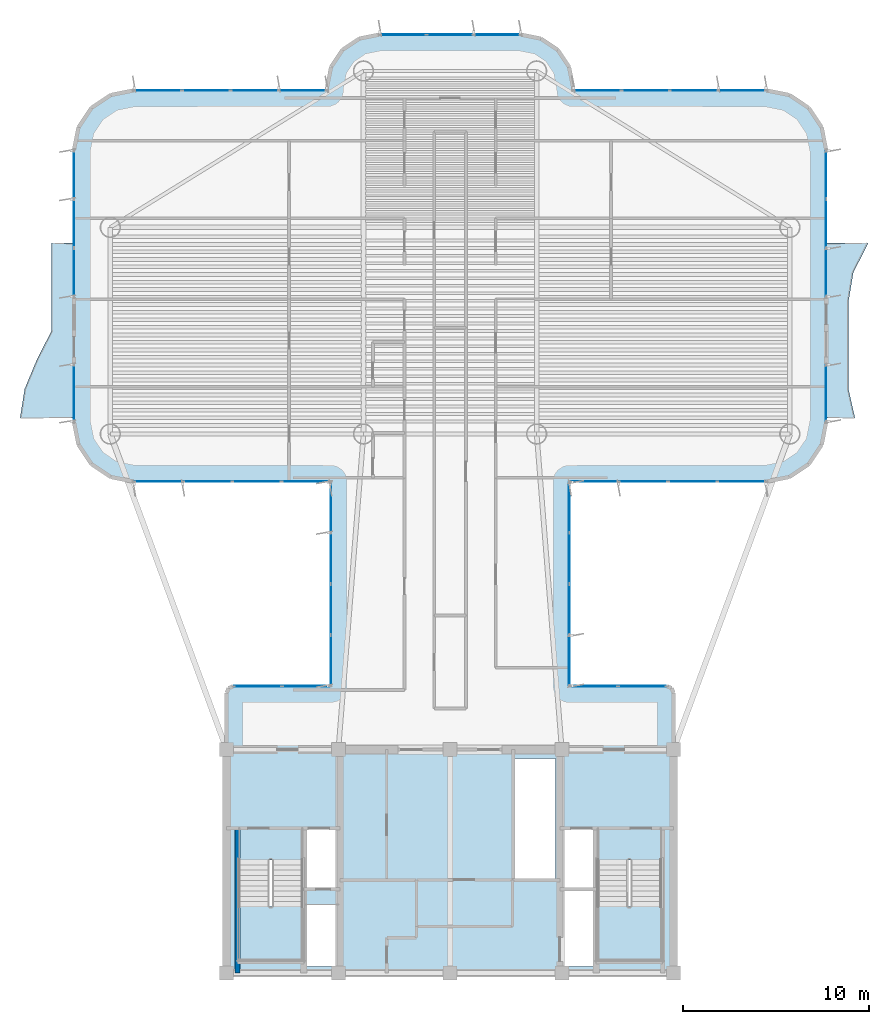
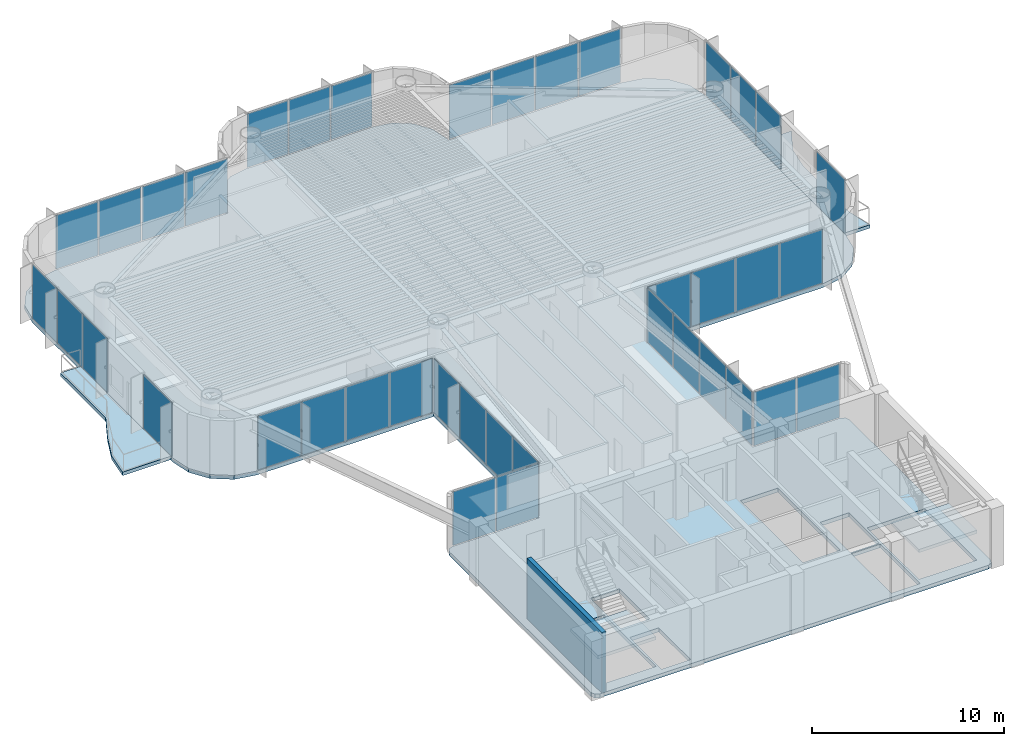
# One storey, part 8 of 14: 39 plates, 5 slabs, 1 wall, 15 elements without a shape of their own.
"""IFC4 building model written with IfcOpenShell, lengths in metres."""

from ifc_helpers import new_model, si_unit, direction, frame, frame_2d, origin, origin_2d, place, context, subcontext, project, spatial, polyline, rectangle, outline, extrude, source, transform, mapped, material, layer, layer_set, type_object, element, aggregate, save


model = new_model("IFC4")

# Units and contexts
model_context = context("Model", 3, precision=1e-05, world=origin(), true_north=direction((0.0, 1.0)))
body_context = subcontext(model_context, "Body", "Model", "MODEL_VIEW")
ifc_project = project(units=[si_unit("LENGTHUNIT", "METRE"), si_unit("AREAUNIT", "SQUARE_METRE"), si_unit("VOLUMEUNIT", "CUBIC_METRE"), si_unit("PLANEANGLEUNIT", "RADIAN"), si_unit("MASSUNIT", "GRAM", prefix="KILO")], contexts=[model_context])

# Site, building, storey
site_placement = place(None, origin())
site = spatial("IfcSite", under=ifc_project, at=site_placement, CompositionType="ELEMENT")
building_placement = place(site_placement, origin())
building = spatial("IfcBuilding", under=site, at=building_placement, Name="Brelvock Crest Care Tower", CompositionType="ELEMENT")
storey_placement = place(building_placement, frame((0.0, 0.0, 201.780029296875)))
storey = spatial("IfcBuildingStorey", under=building, at=storey_placement, Name="L51", CompositionType="ELEMENT", Elevation=201.780029296875)

# Slabs
ifc_material_1 = material(Name="Concrete N50 (50 MPa)", Category="concrete")
ifc_layer_1 = layer(ifc_material_1, 0.22998046875, Name="SLB-FL4")
ifc_layer_set_1 = layer_set([ifc_layer_1], Name="Concrete N50 (50 MPa)")
slab_type_1 = type_object("IfcSlabType", Name="SLB-FL4", PredefinedType="FLOOR", material=ifc_layer_set_1)
slab_1_placement = place(storey_placement, frame((0.0, 0.0, -0.25)))
element("IfcSlab", 1, at=slab_1_placement, inside=storey, type_object=slab_type_1, Name="L51 Main Structural Slab", PredefinedType="FLOOR", context=body_context, shape_type="SweptSolid", body=[
    extrude(outline(polyline([(47.64990234375, 21.39990234375), (42.39990234375, 21.39990234375), (42.39990234375, 32.39990234375), (53.0, 32.39990234375), (54.224609375, 32.6435546875), (55.2626953125, 33.33740234375), (55.956298828125, 34.37548828125), (56.199951171875, 35.60009765625), (56.199951171875, 50.199951171875), (55.956298828125, 51.424560546875), (55.2626953125, 52.462646484375), (54.224609375, 53.156494140625), (53.0, 53.39990234375), (42.60009765625, 53.39990234375), (42.60009765625, 53.60009765625), (42.386962890625, 54.67138671875), (41.77978515625, 55.579833984375), (40.87158203125, 56.18701171875), (39.800048828125, 56.39990234375), (32.199951171875, 56.39990234375), (31.12841796875, 56.18701171875), (30.22021484375, 55.579833984375), (29.613037109375, 54.67138671875), (29.39990234375, 53.60009765625), (29.39990234375, 53.39990234375), (19.0, 53.39990234375), (17.775390625, 53.156494140625), (16.7373046875, 52.462646484375), (16.043701171875, 51.424560546875), (15.800048828125, 50.199951171875), (15.800048828125, 35.60009765625), (16.043701171875, 34.37548828125), (16.7373046875, 33.33740234375), (17.775390625, 32.6435546875), (19.0, 32.39990234375), (29.60009765625, 32.39990234375), (29.60009765625, 21.39990234375), (24.35009765625, 21.39990234375), (24.1025390625, 21.297607421875), (24.0, 21.050048828125), (24.0, 6.35009765625), (24.1025390625, 6.1025390625), (24.35009765625, 6.0), (47.64990234375, 6.0), (47.8974609375, 6.1025390625), (48.0, 6.35009765625), (48.0, 21.050048828125), (47.8974609375, 21.297607421875), (47.64990234375, 21.39990234375)]), holes=[polyline([(28.239990234375, 10.580078125), (29.97998046875, 10.580078125), (29.97998046875, 13.739990234375), (28.239990234375, 13.739990234375), (28.239990234375, 10.580078125)]), polyline([(42.02001953125, 10.580078125), (43.760009765625, 10.580078125), (43.760009765625, 13.739990234375), (42.02001953125, 13.739990234375), (42.02001953125, 10.580078125)]), polyline([(28.239990234375, 6.340087890625), (29.97998046875, 6.340087890625), (29.97998046875, 9.64990234375), (28.239990234375, 9.64990234375), (28.239990234375, 6.340087890625)]), polyline([(24.6298828125, 12.080078125), (24.6298828125, 6.699951171875), (28.110107421875, 6.699951171875), (28.110107421875, 12.080078125), (24.6298828125, 12.080078125)]), polyline([(43.889892578125, 12.080078125), (43.889892578125, 6.699951171875), (47.3701171875, 6.699951171875), (47.3701171875, 12.080078125), (43.889892578125, 12.080078125)]), polyline([(42.02001953125, 6.340087890625), (43.760009765625, 6.340087890625), (43.760009765625, 10.5), (42.02001953125, 10.5), (42.02001953125, 6.340087890625)]), polyline([(39.429931640625, 11.030029296875), (41.669921875, 11.030029296875), (41.669921875, 17.52001953125), (39.429931640625, 17.52001953125), (39.429931640625, 11.030029296875)])]), origin(), (0.0, 0.0, 1.0), 0.25),
])
ifc_layer_2 = layer(ifc_material_1, 0.219970703125, Name="SLB-WB1")
ifc_layer_set_2 = layer_set([ifc_layer_2], Name="Concrete N50 (50 MPa)")
slab_type_2 = type_object("IfcSlabType", Name="SLB-WB1", PredefinedType="FLOOR", material=ifc_layer_set_2)
slab_2_placement = place(storey_placement, frame((0.0, 0.0, -0.219970703125)))
element("IfcSlab", 2, at=slab_2_placement, inside=storey, type_object=slab_type_2, Name="L51 W Sinusoidal Wave Balcony Slab", PredefinedType="FLOOR", context=body_context, shape_type="SweptSolid", body=[
    extrude(outline(polyline([(15.800048828125, 45.199951171875), (14.60009765625, 45.199951171875), (14.60009765625, 43.63330078125), (14.60009765625, 42.066650390625), (14.60009765625, 40.5), (13.79931640625, 38.933349609375), (13.1474609375, 37.36669921875), (12.89990234375, 35.800048828125), (15.800048828125, 35.800048828125), (15.800048828125, 45.199951171875)])), origin(), (0.0, 0.0, 1.0), 0.219970703125),
])
slab_3_placement = place(storey_placement, frame((0.0, 0.0, -0.219970703125)))
element("IfcSlab", 3, at=slab_3_placement, inside=storey, type_object=slab_type_2, Name="L51 E Sinusoidal Wave Balcony Slab", PredefinedType="FLOOR", context=body_context, shape_type="SweptSolid", body=[
    extrude(outline(polyline([(56.199951171875, 35.800048828125), (57.75, 35.800048828125), (57.39990234375, 37.36669921875), (57.39990234375, 38.933349609375), (57.39990234375, 40.5), (57.39990234375, 42.066650390625), (57.66162109375, 43.63330078125), (58.455322265625, 45.199951171875), (56.199951171875, 45.199951171875), (56.199951171875, 35.800048828125)])), origin(), (0.0, 0.0, 1.0), 0.219970703125),
])

# Stair, slab
ifc_material_2 = material(Name="Concrete N40 (40 MPa)", Category="concrete")
stair_type = type_object("IfcStairType", Name="ST-CORE1", PredefinedType="HALF_TURN_STAIR", material=ifc_material_2)
stair_1_placement = place(storey_placement, origin())
stair_1 = element("IfcStair", 4, at=stair_1_placement, inside=storey, type_object=stair_type, Name="L51 Fire-Isolated Core Stair ST-1", PredefinedType="HALF_TURN_STAIR")
ifc_layer_3 = layer(ifc_material_2, 0.199951171875, Name="STL-1")
ifc_layer_set_3 = layer_set([ifc_layer_3], Name="Concrete N40 (40 MPa)")
slab_type_3 = type_object("IfcSlabType", Name="STL-1", PredefinedType="LANDING", material=ifc_layer_set_3)
slab_4_placement = place(storey_placement, frame((0.0, 0.0, 1.68994140625)))
slab_4 = element("IfcSlab", 5, at=slab_4_placement, type_object=slab_type_3, Name="ST-1 landing 1", PredefinedType="LANDING", context=body_context, shape_type="SweptSolid", body=[
    extrude(outline(polyline([(24.6298828125, 9.56005859375), (24.6298828125, 6.699951171875), (28.110107421875, 6.699951171875), (28.110107421875, 9.56005859375), (24.6298828125, 9.56005859375)])), origin(), (0.0, 0.0, 1.0), 0.199951171875),
])
aggregate(stair_1, [slab_4])

stair_2_placement = place(storey_placement, origin())
stair_2 = element("IfcStair", 6, at=stair_2_placement, inside=storey, type_object=stair_type, Name="L51 Fire-Isolated Core Stair ST-2", PredefinedType="HALF_TURN_STAIR")
slab_5_placement = place(storey_placement, frame((0.0, 0.0, 1.68994140625)))
slab_5 = element("IfcSlab", 7, at=slab_5_placement, type_object=slab_type_3, Name="ST-2 landing 1", PredefinedType="LANDING", context=body_context, shape_type="SweptSolid", body=[
    extrude(outline(polyline([(43.889892578125, 9.56005859375), (43.889892578125, 6.699951171875), (47.3701171875, 6.699951171875), (47.3701171875, 9.56005859375), (43.889892578125, 9.56005859375)])), origin(), (0.0, 0.0, 1.0), 0.199951171875),
])
aggregate(stair_2, [slab_5])

# Curtain wall, plates
ifc_material_3 = material(Name="Dark Glass Double Glazed Low-E", Category="glass")
ifc_layer_4 = layer(ifc_material_3, 0.22509765625, Name="CWS-4")
ifc_layer_set_4 = layer_set([ifc_layer_4], Name="Dark Glass Double Glazed Low-E")
curtain_wall_type = type_object("IfcCurtainWallType", Name="CWS-4", PredefinedType="NOTDEFINED", material=ifc_layer_set_4)
curtain_wall_1_placement = place(storey_placement, origin())
curtain_wall_1 = element("IfcCurtainWall", 8, at=curtain_wall_1_placement, inside=storey, type_object=curtain_wall_type, Name="L51 Curtain Wall E10", PredefinedType="NOTDEFINED")
ifc_layer_5 = layer(ifc_material_3, 0.0380859375, Name="CWP-V2")
ifc_layer_set_5 = layer_set([ifc_layer_5], Name="Dark Glass Double Glazed Low-E")
plate_type = type_object("IfcPlateType", Name="CWP-V2", PredefinedType="CURTAIN_PANEL", material=ifc_layer_set_5)
shared_shape_1 = source(origin(), body_context, "Body", "SweptSolid", [
    extrude(rectangle(XDim=2.534912109375, YDim=0.035888671875, at=origin_2d()), origin(), (0.0, 0.0, 1.0), 3.409912109375),
])
plate_1_placement = place(storey_placement, frame((25.677490234375, 21.39990234375, 0.06005859375), z_axis=(0.0, 0.0, 1.0), x_axis=(1.0, 0.0, 0.0)))
plate_1 = element("IfcPlate", 9, at=plate_1_placement, type_object=plate_type, Name="CW-4 panel 1.1", PredefinedType="CURTAIN_PANEL", context=body_context, shape_type="MappedRepresentation", body=[
    mapped(shared_shape_1, transform((0.0, 0.0, 0.0), x_axis=(1.0, 0.0, 0.0), y_axis=(0.0, 1.0, 0.0), z_axis=(0.0, 0.0, 1.0), scale=1.0)),
])
plate_2_placement = place(storey_placement, frame((28.2724609375, 21.39990234375, 0.06005859375), z_axis=(0.0, 0.0, 1.0), x_axis=(1.0, 0.0, 0.0)))
plate_2 = element("IfcPlate", 10, at=plate_2_placement, type_object=plate_type, Name="CW-4 panel 2.1", PredefinedType="CURTAIN_PANEL", context=body_context, shape_type="MappedRepresentation", body=[
    mapped(shared_shape_1, transform((0.0, 0.0, 0.0), x_axis=(1.0, 0.0, 0.0), y_axis=(0.0, 1.0, 0.0), z_axis=(0.0, 0.0, 1.0), scale=1.0)),
])
aggregate(curtain_wall_1, [plate_1, plate_2])

curtain_wall_2_placement = place(storey_placement, origin())
curtain_wall_2 = element("IfcCurtainWall", 11, at=curtain_wall_2_placement, inside=storey, type_object=curtain_wall_type, Name="L51 Curtain Wall E46", PredefinedType="NOTDEFINED")
plate_3_placement = place(storey_placement, frame((43.7275390625, 21.39990234375, 0.06005859375), z_axis=(0.0, 0.0, 1.0), x_axis=(1.0, 0.0, 0.0)))
plate_3 = element("IfcPlate", 12, at=plate_3_placement, type_object=plate_type, Name="CW-4 panel 1.1", PredefinedType="CURTAIN_PANEL", context=body_context, shape_type="MappedRepresentation", body=[
    mapped(shared_shape_1, transform((0.0, 0.0, 0.0), x_axis=(1.0, 0.0, 0.0), y_axis=(0.0, 1.0, 0.0), z_axis=(0.0, 0.0, 1.0), scale=1.0)),
])
plate_4_placement = place(storey_placement, frame((46.322509765625, 21.39990234375, 0.06005859375), z_axis=(0.0, 0.0, 1.0), x_axis=(1.0, 0.0, 0.0)))
plate_4 = element("IfcPlate", 13, at=plate_4_placement, type_object=plate_type, Name="CW-4 panel 2.1", PredefinedType="CURTAIN_PANEL", context=body_context, shape_type="MappedRepresentation", body=[
    mapped(shared_shape_1, transform((0.0, 0.0, 0.0), x_axis=(1.0, 0.0, 0.0), y_axis=(0.0, 1.0, 0.0), z_axis=(0.0, 0.0, 1.0), scale=1.0)),
])
aggregate(curtain_wall_2, [plate_3, plate_4])

curtain_wall_3_placement = place(storey_placement, origin())
curtain_wall_3 = element("IfcCurtainWall", 14, at=curtain_wall_3_placement, inside=storey, type_object=curtain_wall_type, Name="L51 Curtain Wall E11", PredefinedType="NOTDEFINED")
shared_shape_2 = source(origin(), body_context, "Body", "SweptSolid", [
    extrude(rectangle(XDim=2.659912109375, YDim=0.035888671875, at=origin_2d()), origin(), (0.0, 0.0, 1.0), 3.409912109375),
])
plate_5_placement = place(storey_placement, frame((29.60009765625, 22.7900390625, 0.06005859375), z_axis=(0.0, 0.0, 1.0), x_axis=(0.0, 1.0, 0.0)))
plate_5 = element("IfcPlate", 15, at=plate_5_placement, type_object=plate_type, Name="CW-4 panel 1.1", PredefinedType="CURTAIN_PANEL", context=body_context, shape_type="MappedRepresentation", body=[
    mapped(shared_shape_2, transform((0.0, 0.0, 0.0), x_axis=(1.0, 0.0, 0.0), y_axis=(0.0, 1.0, 0.0), z_axis=(0.0, 0.0, 1.0), scale=1.0)),
])
plate_6_placement = place(storey_placement, frame((29.60009765625, 31.010009765625, 0.06005859375), z_axis=(0.0, 0.0, 1.0), x_axis=(0.0, 1.0, 0.0)))
plate_6 = element("IfcPlate", 16, at=plate_6_placement, type_object=plate_type, Name="CW-4 panel 4.1", PredefinedType="CURTAIN_PANEL", context=body_context, shape_type="MappedRepresentation", body=[
    mapped(shared_shape_2, transform((0.0, 0.0, 0.0), x_axis=(1.0, 0.0, 0.0), y_axis=(0.0, 1.0, 0.0), z_axis=(0.0, 0.0, 1.0), scale=1.0)),
])

curtain_wall_4_placement = place(storey_placement, origin())
curtain_wall_4 = element("IfcCurtainWall", 17, at=curtain_wall_4_placement, inside=storey, type_object=curtain_wall_type, Name="L51 Curtain Wall E45", PredefinedType="NOTDEFINED")
plate_7_placement = place(storey_placement, frame((42.39990234375, 31.010009765625, 0.06005859375), z_axis=(0.0, 0.0, 1.0), x_axis=(0.0, -1.0, 0.0)))
plate_7 = element("IfcPlate", 18, at=plate_7_placement, type_object=plate_type, Name="CW-4 panel 1.1", PredefinedType="CURTAIN_PANEL", context=body_context, shape_type="MappedRepresentation", body=[
    mapped(shared_shape_2, transform((0.0, 0.0, 0.0), x_axis=(1.0, 0.0, 0.0), y_axis=(0.0, 1.0, 0.0), z_axis=(0.0, 0.0, 1.0), scale=1.0)),
])
plate_8_placement = place(storey_placement, frame((42.39990234375, 22.7900390625, 0.06005859375), z_axis=(0.0, 0.0, 1.0), x_axis=(0.0, -1.0, 0.0)))
plate_8 = element("IfcPlate", 19, at=plate_8_placement, type_object=plate_type, Name="CW-4 panel 4.1", PredefinedType="CURTAIN_PANEL", context=body_context, shape_type="MappedRepresentation", body=[
    mapped(shared_shape_2, transform((0.0, 0.0, 0.0), x_axis=(1.0, 0.0, 0.0), y_axis=(0.0, 1.0, 0.0), z_axis=(0.0, 0.0, 1.0), scale=1.0)),
])

# Plate
shared_shape_3 = source(origin(), body_context, "Body", "SweptSolid", [
    extrude(rectangle(XDim=2.68994140625, YDim=0.035888671875, at=origin_2d()), origin(), (0.0, 0.0, 1.0), 3.409912109375),
])
plate_9_placement = place(storey_placement, frame((29.60009765625, 25.52490234375, 0.06005859375), z_axis=(0.0, 0.0, 1.0), x_axis=(0.0, 1.0, 0.0)))
plate_9 = element("IfcPlate", 20, at=plate_9_placement, type_object=plate_type, Name="CW-4 panel 2.1", PredefinedType="CURTAIN_PANEL", context=body_context, shape_type="MappedRepresentation", body=[
    mapped(shared_shape_3, transform((0.0, 0.0, 0.0), x_axis=(1.0, 0.0, 0.0), y_axis=(0.0, 1.0, 0.0), z_axis=(0.0, 0.0, 1.0), scale=1.0)),
])

plate_10_placement = place(storey_placement, frame((29.60009765625, 28.27490234375, 0.06005859375), z_axis=(0.0, 0.0, 1.0), x_axis=(0.0, 1.0, 0.0)))
plate_10 = element("IfcPlate", 21, at=plate_10_placement, type_object=plate_type, Name="CW-4 panel 3.1", PredefinedType="CURTAIN_PANEL", context=body_context, shape_type="MappedRepresentation", body=[
    mapped(shared_shape_3, transform((0.0, 0.0, 0.0), x_axis=(1.0, 0.0, 0.0), y_axis=(0.0, 1.0, 0.0), z_axis=(0.0, 0.0, 1.0), scale=1.0)),
])

aggregate(curtain_wall_3, [plate_5, plate_9, plate_10, plate_6])

plate_11_placement = place(storey_placement, frame((42.39990234375, 28.27490234375, 0.06005859375), z_axis=(0.0, 0.0, 1.0), x_axis=(0.0, -1.0, 0.0)))
plate_11 = element("IfcPlate", 22, at=plate_11_placement, type_object=plate_type, Name="CW-4 panel 2.1", PredefinedType="CURTAIN_PANEL", context=body_context, shape_type="MappedRepresentation", body=[
    mapped(shared_shape_3, transform((0.0, 0.0, 0.0), x_axis=(1.0, 0.0, 0.0), y_axis=(0.0, 1.0, 0.0), z_axis=(0.0, 0.0, 1.0), scale=1.0)),
])

plate_12_placement = place(storey_placement, frame((42.39990234375, 25.52490234375, 0.06005859375), z_axis=(0.0, 0.0, 1.0), x_axis=(0.0, -1.0, 0.0)))
plate_12 = element("IfcPlate", 23, at=plate_12_placement, type_object=plate_type, Name="CW-4 panel 3.1", PredefinedType="CURTAIN_PANEL", context=body_context, shape_type="MappedRepresentation", body=[
    mapped(shared_shape_3, transform((0.0, 0.0, 0.0), x_axis=(1.0, 0.0, 0.0), y_axis=(0.0, 1.0, 0.0), z_axis=(0.0, 0.0, 1.0), scale=1.0)),
])

aggregate(curtain_wall_4, [plate_7, plate_11, plate_12, plate_8])

# Curtain wall, plates
curtain_wall_5_placement = place(storey_placement, origin())
curtain_wall_5 = element("IfcCurtainWall", 24, at=curtain_wall_5_placement, inside=storey, type_object=curtain_wall_type, Name="L51 Curtain Wall E12", PredefinedType="NOTDEFINED")
shared_shape_4 = source(origin(), body_context, "Body", "SweptSolid", [
    extrude(rectangle(XDim=2.56005859375, YDim=0.035888671875, at=origin_2d()), origin(), (0.0, 0.0, 1.0), 3.409912109375),
])
plate_13_placement = place(storey_placement, frame((28.260009765625, 32.39990234375, 0.06005859375), z_axis=(0.0, 0.0, 1.0), x_axis=(-1.0, 0.0, 0.0)))
plate_13 = element("IfcPlate", 25, at=plate_13_placement, type_object=plate_type, Name="CW-4 panel 1.1", PredefinedType="CURTAIN_PANEL", context=body_context, shape_type="MappedRepresentation", body=[
    mapped(shared_shape_4, transform((0.0, 0.0, 0.0), x_axis=(1.0, 0.0, 0.0), y_axis=(0.0, 1.0, 0.0), z_axis=(0.0, 0.0, 1.0), scale=1.0)),
])
plate_14_placement = place(storey_placement, frame((20.340087890625, 32.39990234375, 0.06005859375), z_axis=(0.0, 0.0, 1.0), x_axis=(-1.0, 0.0, 0.0)))
plate_14 = element("IfcPlate", 26, at=plate_14_placement, type_object=plate_type, Name="CW-4 panel 4.1", PredefinedType="CURTAIN_PANEL", context=body_context, shape_type="MappedRepresentation", body=[
    mapped(shared_shape_4, transform((0.0, 0.0, 0.0), x_axis=(1.0, 0.0, 0.0), y_axis=(0.0, 1.0, 0.0), z_axis=(0.0, 0.0, 1.0), scale=1.0)),
])

curtain_wall_6_placement = place(storey_placement, origin())
curtain_wall_6 = element("IfcCurtainWall", 27, at=curtain_wall_6_placement, inside=storey, type_object=curtain_wall_type, Name="L51 Curtain Wall E44", PredefinedType="NOTDEFINED")
plate_15_placement = place(storey_placement, frame((51.659912109375, 32.39990234375, 0.06005859375), z_axis=(0.0, 0.0, 1.0), x_axis=(-1.0, 0.0, 0.0)))
plate_15 = element("IfcPlate", 28, at=plate_15_placement, type_object=plate_type, Name="CW-4 panel 1.1", PredefinedType="CURTAIN_PANEL", context=body_context, shape_type="MappedRepresentation", body=[
    mapped(shared_shape_4, transform((0.0, 0.0, 0.0), x_axis=(1.0, 0.0, 0.0), y_axis=(0.0, 1.0, 0.0), z_axis=(0.0, 0.0, 1.0), scale=1.0)),
])
plate_16_placement = place(storey_placement, frame((43.739990234375, 32.39990234375, 0.06005859375), z_axis=(0.0, 0.0, 1.0), x_axis=(-1.0, 0.0, 0.0)))
plate_16 = element("IfcPlate", 29, at=plate_16_placement, type_object=plate_type, Name="CW-4 panel 4.1", PredefinedType="CURTAIN_PANEL", context=body_context, shape_type="MappedRepresentation", body=[
    mapped(shared_shape_4, transform((0.0, 0.0, 0.0), x_axis=(1.0, 0.0, 0.0), y_axis=(0.0, 1.0, 0.0), z_axis=(0.0, 0.0, 1.0), scale=1.0)),
])

# Plate
shared_shape_5 = source(origin(), body_context, "Body", "SweptSolid", [
    extrude(rectangle(XDim=2.590087890625, YDim=0.035888671875, at=origin_2d()), origin(), (0.0, 0.0, 1.0), 3.409912109375),
])
plate_17_placement = place(storey_placement, frame((25.625, 32.39990234375, 0.06005859375), z_axis=(0.0, 0.0, 1.0), x_axis=(-1.0, 0.0, 0.0)))
plate_17 = element("IfcPlate", 30, at=plate_17_placement, type_object=plate_type, Name="CW-4 panel 2.1", PredefinedType="CURTAIN_PANEL", context=body_context, shape_type="MappedRepresentation", body=[
    mapped(shared_shape_5, transform((0.0, 0.0, 0.0), x_axis=(1.0, 0.0, 0.0), y_axis=(0.0, 1.0, 0.0), z_axis=(0.0, 0.0, 1.0), scale=1.0)),
])

plate_18_placement = place(storey_placement, frame((22.97509765625, 32.39990234375, 0.06005859375), z_axis=(0.0, 0.0, 1.0), x_axis=(-1.0, 0.0, 0.0)))
plate_18 = element("IfcPlate", 31, at=plate_18_placement, type_object=plate_type, Name="CW-4 panel 3.1", PredefinedType="CURTAIN_PANEL", context=body_context, shape_type="MappedRepresentation", body=[
    mapped(shared_shape_5, transform((0.0, 0.0, 0.0), x_axis=(1.0, 0.0, 0.0), y_axis=(0.0, 1.0, 0.0), z_axis=(0.0, 0.0, 1.0), scale=1.0)),
])

aggregate(curtain_wall_5, [plate_13, plate_17, plate_18, plate_14])

plate_19_placement = place(storey_placement, frame((49.02490234375, 32.39990234375, 0.06005859375), z_axis=(0.0, 0.0, 1.0), x_axis=(-1.0, 0.0, 0.0)))
plate_19 = element("IfcPlate", 32, at=plate_19_placement, type_object=plate_type, Name="CW-4 panel 2.1", PredefinedType="CURTAIN_PANEL", context=body_context, shape_type="MappedRepresentation", body=[
    mapped(shared_shape_5, transform((0.0, 0.0, 0.0), x_axis=(1.0, 0.0, 0.0), y_axis=(0.0, 1.0, 0.0), z_axis=(0.0, 0.0, 1.0), scale=1.0)),
])

plate_20_placement = place(storey_placement, frame((46.375, 32.39990234375, 0.06005859375), z_axis=(0.0, 0.0, 1.0), x_axis=(-1.0, 0.0, 0.0)))
plate_20 = element("IfcPlate", 33, at=plate_20_placement, type_object=plate_type, Name="CW-4 panel 3.1", PredefinedType="CURTAIN_PANEL", context=body_context, shape_type="MappedRepresentation", body=[
    mapped(shared_shape_5, transform((0.0, 0.0, 0.0), x_axis=(1.0, 0.0, 0.0), y_axis=(0.0, 1.0, 0.0), z_axis=(0.0, 0.0, 1.0), scale=1.0)),
])

aggregate(curtain_wall_6, [plate_15, plate_19, plate_20, plate_16])

# Curtain wall, plates
curtain_wall_7_placement = place(storey_placement, origin())
curtain_wall_7 = element("IfcCurtainWall", 34, at=curtain_wall_7_placement, inside=storey, type_object=curtain_wall_type, Name="L51 Curtain Wall E22", PredefinedType="NOTDEFINED")
shared_shape_6 = source(origin(), body_context, "Body", "SweptSolid", [
    extrude(rectangle(XDim=2.510009765625, YDim=0.035888671875, at=origin_2d()), origin(), (0.0, 0.0, 1.0), 3.409912109375),
])
plate_21_placement = place(storey_placement, frame((20.31494140625, 53.39990234375, 0.06005859375), z_axis=(0.0, 0.0, 1.0), x_axis=(1.0, 0.0, 0.0)))
plate_21 = element("IfcPlate", 35, at=plate_21_placement, type_object=plate_type, Name="CW-4 panel 1.1", PredefinedType="CURTAIN_PANEL", context=body_context, shape_type="MappedRepresentation", body=[
    mapped(shared_shape_6, transform((0.0, 0.0, 0.0), x_axis=(1.0, 0.0, 0.0), y_axis=(0.0, 1.0, 0.0), z_axis=(0.0, 0.0, 1.0), scale=1.0)),
])
plate_22_placement = place(storey_placement, frame((28.0849609375, 53.39990234375, 0.06005859375), z_axis=(0.0, 0.0, 1.0), x_axis=(1.0, 0.0, 0.0)))
plate_22 = element("IfcPlate", 36, at=plate_22_placement, type_object=plate_type, Name="CW-4 panel 4.1", PredefinedType="CURTAIN_PANEL", context=body_context, shape_type="MappedRepresentation", body=[
    mapped(shared_shape_6, transform((0.0, 0.0, 0.0), x_axis=(1.0, 0.0, 0.0), y_axis=(0.0, 1.0, 0.0), z_axis=(0.0, 0.0, 1.0), scale=1.0)),
])

curtain_wall_8_placement = place(storey_placement, origin())
curtain_wall_8 = element("IfcCurtainWall", 37, at=curtain_wall_8_placement, inside=storey, type_object=curtain_wall_type, Name="L51 Curtain Wall E34", PredefinedType="NOTDEFINED")
plate_23_placement = place(storey_placement, frame((43.9150390625, 53.39990234375, 0.06005859375), z_axis=(0.0, 0.0, 1.0), x_axis=(1.0, 0.0, 0.0)))
plate_23 = element("IfcPlate", 38, at=plate_23_placement, type_object=plate_type, Name="CW-4 panel 1.1", PredefinedType="CURTAIN_PANEL", context=body_context, shape_type="MappedRepresentation", body=[
    mapped(shared_shape_6, transform((0.0, 0.0, 0.0), x_axis=(1.0, 0.0, 0.0), y_axis=(0.0, 1.0, 0.0), z_axis=(0.0, 0.0, 1.0), scale=1.0)),
])
plate_24_placement = place(storey_placement, frame((51.68505859375, 53.39990234375, 0.06005859375), z_axis=(0.0, 0.0, 1.0), x_axis=(1.0, 0.0, 0.0)))
plate_24 = element("IfcPlate", 39, at=plate_24_placement, type_object=plate_type, Name="CW-4 panel 4.1", PredefinedType="CURTAIN_PANEL", context=body_context, shape_type="MappedRepresentation", body=[
    mapped(shared_shape_6, transform((0.0, 0.0, 0.0), x_axis=(1.0, 0.0, 0.0), y_axis=(0.0, 1.0, 0.0), z_axis=(0.0, 0.0, 1.0), scale=1.0)),
])

# Plate
shared_shape_7 = source(origin(), body_context, "Body", "SweptSolid", [
    extrude(rectangle(XDim=2.5400390625, YDim=0.035888671875, at=origin_2d()), origin(), (0.0, 0.0, 1.0), 3.409912109375),
])
plate_25_placement = place(storey_placement, frame((22.89990234375, 53.39990234375, 0.06005859375), z_axis=(0.0, 0.0, 1.0), x_axis=(1.0, 0.0, 0.0)))
plate_25 = element("IfcPlate", 40, at=plate_25_placement, type_object=plate_type, Name="CW-4 panel 2.1", PredefinedType="CURTAIN_PANEL", context=body_context, shape_type="MappedRepresentation", body=[
    mapped(shared_shape_7, transform((0.0, 0.0, 0.0), x_axis=(1.0, 0.0, 0.0), y_axis=(0.0, 1.0, 0.0), z_axis=(0.0, 0.0, 1.0), scale=1.0)),
])

plate_26_placement = place(storey_placement, frame((25.5, 53.39990234375, 0.06005859375), z_axis=(0.0, 0.0, 1.0), x_axis=(1.0, 0.0, 0.0)))
plate_26 = element("IfcPlate", 41, at=plate_26_placement, type_object=plate_type, Name="CW-4 panel 3.1", PredefinedType="CURTAIN_PANEL", context=body_context, shape_type="MappedRepresentation", body=[
    mapped(shared_shape_7, transform((0.0, 0.0, 0.0), x_axis=(1.0, 0.0, 0.0), y_axis=(0.0, 1.0, 0.0), z_axis=(0.0, 0.0, 1.0), scale=1.0)),
])

aggregate(curtain_wall_7, [plate_21, plate_25, plate_26, plate_22])

plate_27_placement = place(storey_placement, frame((46.5, 53.39990234375, 0.06005859375), z_axis=(0.0, 0.0, 1.0), x_axis=(1.0, 0.0, 0.0)))
plate_27 = element("IfcPlate", 42, at=plate_27_placement, type_object=plate_type, Name="CW-4 panel 2.1", PredefinedType="CURTAIN_PANEL", context=body_context, shape_type="MappedRepresentation", body=[
    mapped(shared_shape_7, transform((0.0, 0.0, 0.0), x_axis=(1.0, 0.0, 0.0), y_axis=(0.0, 1.0, 0.0), z_axis=(0.0, 0.0, 1.0), scale=1.0)),
])

plate_28_placement = place(storey_placement, frame((49.10009765625, 53.39990234375, 0.06005859375), z_axis=(0.0, 0.0, 1.0), x_axis=(1.0, 0.0, 0.0)))
plate_28 = element("IfcPlate", 43, at=plate_28_placement, type_object=plate_type, Name="CW-4 panel 3.1", PredefinedType="CURTAIN_PANEL", context=body_context, shape_type="MappedRepresentation", body=[
    mapped(shared_shape_7, transform((0.0, 0.0, 0.0), x_axis=(1.0, 0.0, 0.0), y_axis=(0.0, 1.0, 0.0), z_axis=(0.0, 0.0, 1.0), scale=1.0)),
])

aggregate(curtain_wall_8, [plate_23, plate_27, plate_28, plate_24])

# Curtain wall, plates
curtain_wall_9_placement = place(storey_placement, origin())
curtain_wall_9 = element("IfcCurtainWall", 44, at=curtain_wall_9_placement, inside=storey, type_object=curtain_wall_type, Name="L51 Curtain Wall E28", PredefinedType="NOTDEFINED")
shared_shape_8 = source(origin(), body_context, "Body", "SweptSolid", [
    extrude(rectangle(XDim=2.443359375, YDim=0.035888671875, at=origin_2d()), origin(), (0.0, 0.0, 1.0), 3.409912109375),
])
plate_29_placement = place(storey_placement, frame((33.481689453125, 56.39990234375, 0.06005859375), z_axis=(0.0, 0.0, 1.0), x_axis=(1.0, 0.0, 0.0)))
plate_29 = element("IfcPlate", 45, at=plate_29_placement, type_object=plate_type, Name="CW-4 panel 1.1", PredefinedType="CURTAIN_PANEL", context=body_context, shape_type="MappedRepresentation", body=[
    mapped(shared_shape_8, transform((0.0, 0.0, 0.0), x_axis=(1.0, 0.0, 0.0), y_axis=(0.0, 1.0, 0.0), z_axis=(0.0, 0.0, 1.0), scale=1.0)),
])
plate_30_placement = place(storey_placement, frame((38.518310546875, 56.39990234375, 0.06005859375), z_axis=(0.0, 0.0, 1.0), x_axis=(1.0, 0.0, 0.0)))
plate_30 = element("IfcPlate", 46, at=plate_30_placement, type_object=plate_type, Name="CW-4 panel 3.1", PredefinedType="CURTAIN_PANEL", context=body_context, shape_type="MappedRepresentation", body=[
    mapped(shared_shape_8, transform((0.0, 0.0, 0.0), x_axis=(1.0, 0.0, 0.0), y_axis=(0.0, 1.0, 0.0), z_axis=(0.0, 0.0, 1.0), scale=1.0)),
])
shared_shape_9 = source(origin(), body_context, "Body", "SweptSolid", [
    extrude(rectangle(XDim=2.473388671875, YDim=0.035888671875, at=origin_2d()), origin(), (0.0, 0.0, 1.0), 3.409912109375),
])
plate_31_placement = place(storey_placement, frame((36.0, 56.39990234375, 0.06005859375), z_axis=(0.0, 0.0, 1.0), x_axis=(1.0, 0.0, 0.0)))
plate_31 = element("IfcPlate", 47, at=plate_31_placement, type_object=plate_type, Name="CW-4 panel 2.1", PredefinedType="CURTAIN_PANEL", context=body_context, shape_type="MappedRepresentation", body=[
    mapped(shared_shape_9, transform((0.0, 0.0, 0.0), x_axis=(1.0, 0.0, 0.0), y_axis=(0.0, 1.0, 0.0), z_axis=(0.0, 0.0, 1.0), scale=1.0)),
])
aggregate(curtain_wall_9, [plate_29, plate_31, plate_30])

# Curtain wall, plate
curtain_wall_10_placement = place(storey_placement, origin())
curtain_wall_10 = element("IfcCurtainWall", 48, at=curtain_wall_10_placement, inside=storey, type_object=curtain_wall_type, Name="L51 Curtain Wall E17A", PredefinedType="NOTDEFINED")
shared_shape_10 = source(origin(), body_context, "Body", "SweptSolid", [
    extrude(rectangle(XDim=2.97998046875, YDim=0.035888671875, at=origin_2d()), origin(), (0.0, 0.0, 1.0), 3.409912109375),
])
plate_32_placement = place(storey_placement, frame((15.800048828125, 37.14990234375, 0.06005859375), z_axis=(0.0, 0.0, 1.0), x_axis=(0.0, 1.0, 0.0)))
plate_32 = element("IfcPlate", 49, at=plate_32_placement, type_object=plate_type, Name="CW-4 panel 1.1", PredefinedType="CURTAIN_PANEL", context=body_context, shape_type="MappedRepresentation", body=[
    mapped(shared_shape_10, transform((0.0, 0.0, 0.0), x_axis=(1.0, 0.0, 0.0), y_axis=(0.0, 1.0, 0.0), z_axis=(0.0, 0.0, 1.0), scale=1.0)),
])
aggregate(curtain_wall_10, [plate_32])

curtain_wall_11_placement = place(storey_placement, origin())
curtain_wall_11 = element("IfcCurtainWall", 50, at=curtain_wall_11_placement, inside=storey, type_object=curtain_wall_type, Name="L51 Curtain Wall E39B", PredefinedType="NOTDEFINED")
plate_33_placement = place(storey_placement, frame((56.199951171875, 37.14990234375, 0.06005859375), z_axis=(0.0, 0.0, 1.0), x_axis=(0.0, -1.0, 0.0)))
plate_33 = element("IfcPlate", 51, at=plate_33_placement, type_object=plate_type, Name="CW-4 panel 1.1", PredefinedType="CURTAIN_PANEL", context=body_context, shape_type="MappedRepresentation", body=[
    mapped(shared_shape_10, transform((0.0, 0.0, 0.0), x_axis=(1.0, 0.0, 0.0), y_axis=(0.0, 1.0, 0.0), z_axis=(0.0, 0.0, 1.0), scale=1.0)),
])
aggregate(curtain_wall_11, [plate_33])

# Curtain wall, plates
curtain_wall_12_placement = place(storey_placement, origin())
curtain_wall_12 = element("IfcCurtainWall", 52, at=curtain_wall_12_placement, inside=storey, type_object=curtain_wall_type, Name="L51 Curtain Wall E17B", PredefinedType="NOTDEFINED")
shared_shape_11 = source(origin(), body_context, "Body", "SweptSolid", [
    extrude(rectangle(XDim=2.543212890625, YDim=0.035888671875, at=origin_2d()), origin(), (0.0, 0.0, 1.0), 3.409912109375),
])
plate_34_placement = place(storey_placement, frame((15.800048828125, 43.631591796875, 0.06005859375), z_axis=(0.0, 0.0, 1.0), x_axis=(0.0, 1.0, 0.0)))
plate_34 = element("IfcPlate", 53, at=plate_34_placement, type_object=plate_type, Name="CW-4 panel 1.1", PredefinedType="CURTAIN_PANEL", context=body_context, shape_type="MappedRepresentation", body=[
    mapped(shared_shape_11, transform((0.0, 0.0, 0.0), x_axis=(1.0, 0.0, 0.0), y_axis=(0.0, 1.0, 0.0), z_axis=(0.0, 0.0, 1.0), scale=1.0)),
])
plate_35_placement = place(storey_placement, frame((15.800048828125, 48.868408203125, 0.06005859375), z_axis=(0.0, 0.0, 1.0), x_axis=(0.0, 1.0, 0.0)))
plate_35 = element("IfcPlate", 54, at=plate_35_placement, type_object=plate_type, Name="CW-4 panel 3.1", PredefinedType="CURTAIN_PANEL", context=body_context, shape_type="MappedRepresentation", body=[
    mapped(shared_shape_11, transform((0.0, 0.0, 0.0), x_axis=(1.0, 0.0, 0.0), y_axis=(0.0, 1.0, 0.0), z_axis=(0.0, 0.0, 1.0), scale=1.0)),
])

curtain_wall_13_placement = place(storey_placement, origin())
curtain_wall_13 = element("IfcCurtainWall", 55, at=curtain_wall_13_placement, inside=storey, type_object=curtain_wall_type, Name="L51 Curtain Wall E39A", PredefinedType="NOTDEFINED")
plate_36_placement = place(storey_placement, frame((56.199951171875, 48.868408203125, 0.06005859375), z_axis=(0.0, 0.0, 1.0), x_axis=(0.0, -1.0, 0.0)))
plate_36 = element("IfcPlate", 56, at=plate_36_placement, type_object=plate_type, Name="CW-4 panel 1.1", PredefinedType="CURTAIN_PANEL", context=body_context, shape_type="MappedRepresentation", body=[
    mapped(shared_shape_11, transform((0.0, 0.0, 0.0), x_axis=(1.0, 0.0, 0.0), y_axis=(0.0, 1.0, 0.0), z_axis=(0.0, 0.0, 1.0), scale=1.0)),
])
plate_37_placement = place(storey_placement, frame((56.199951171875, 43.631591796875, 0.06005859375), z_axis=(0.0, 0.0, 1.0), x_axis=(0.0, -1.0, 0.0)))
plate_37 = element("IfcPlate", 57, at=plate_37_placement, type_object=plate_type, Name="CW-4 panel 3.1", PredefinedType="CURTAIN_PANEL", context=body_context, shape_type="MappedRepresentation", body=[
    mapped(shared_shape_11, transform((0.0, 0.0, 0.0), x_axis=(1.0, 0.0, 0.0), y_axis=(0.0, 1.0, 0.0), z_axis=(0.0, 0.0, 1.0), scale=1.0)),
])

# Plate
shared_shape_12 = source(origin(), body_context, "Body", "SweptSolid", [
    extrude(rectangle(XDim=2.5732421875, YDim=0.035888671875, at=origin_2d()), origin(), (0.0, 0.0, 1.0), 3.409912109375),
])
plate_38_placement = place(storey_placement, frame((15.800048828125, 46.25, 0.06005859375), z_axis=(0.0, 0.0, 1.0), x_axis=(0.0, 1.0, 0.0)))
plate_38 = element("IfcPlate", 58, at=plate_38_placement, type_object=plate_type, Name="CW-4 panel 2.1", PredefinedType="CURTAIN_PANEL", context=body_context, shape_type="MappedRepresentation", body=[
    mapped(shared_shape_12, transform((0.0, 0.0, 0.0), x_axis=(1.0, 0.0, 0.0), y_axis=(0.0, 1.0, 0.0), z_axis=(0.0, 0.0, 1.0), scale=1.0)),
])

aggregate(curtain_wall_12, [plate_34, plate_38, plate_35])

plate_39_placement = place(storey_placement, frame((56.199951171875, 46.25, 0.06005859375), z_axis=(0.0, 0.0, 1.0), x_axis=(0.0, -1.0, 0.0)))
plate_39 = element("IfcPlate", 59, at=plate_39_placement, type_object=plate_type, Name="CW-4 panel 2.1", PredefinedType="CURTAIN_PANEL", context=body_context, shape_type="MappedRepresentation", body=[
    mapped(shared_shape_12, transform((0.0, 0.0, 0.0), x_axis=(1.0, 0.0, 0.0), y_axis=(0.0, 1.0, 0.0), z_axis=(0.0, 0.0, 1.0), scale=1.0)),
])

aggregate(curtain_wall_13, [plate_36, plate_39, plate_37])

# Wall
ifc_material_4 = material(Name="Concrete S80 (80 MPa)", Category="concrete")
ifc_layer_6 = layer(ifc_material_4, 0.25, Name="WL-CS6")
ifc_layer_set_6 = layer_set([ifc_layer_6], Name="Concrete S80 (80 MPa)")
wall_type = type_object("IfcWallType", Name="WL-CS6", PredefinedType="SHEAR", material=ifc_layer_set_6)
wall_placement = place(storey_placement, frame((24.580078125, 6.0, 0.0), z_axis=(0.0, 0.0, 1.0), x_axis=(0.0, 1.0, 0.0)))
element("IfcWall", 60, at=wall_placement, inside=storey, type_object=wall_type, Name="L51 Core Stair ST-1 West Shear Wall", PredefinedType="SHEAR", context=body_context, shape_type="SweptSolid", body=[
    extrude(rectangle(XDim=7.780029296875, YDim=0.25, at=frame_2d((3.89013671875, 0.0))), origin(), (0.0, 0.0, 1.0), 3.849853515625),
])

save(model, "model.ifc")
